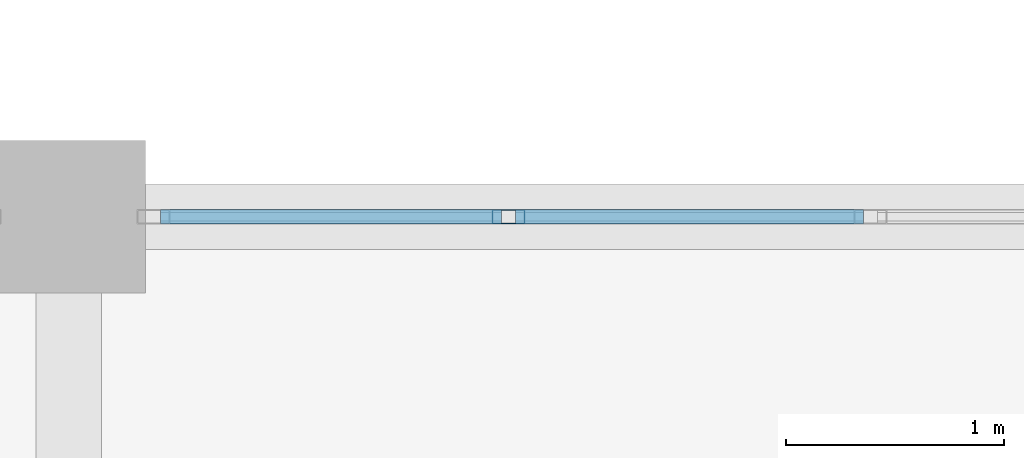
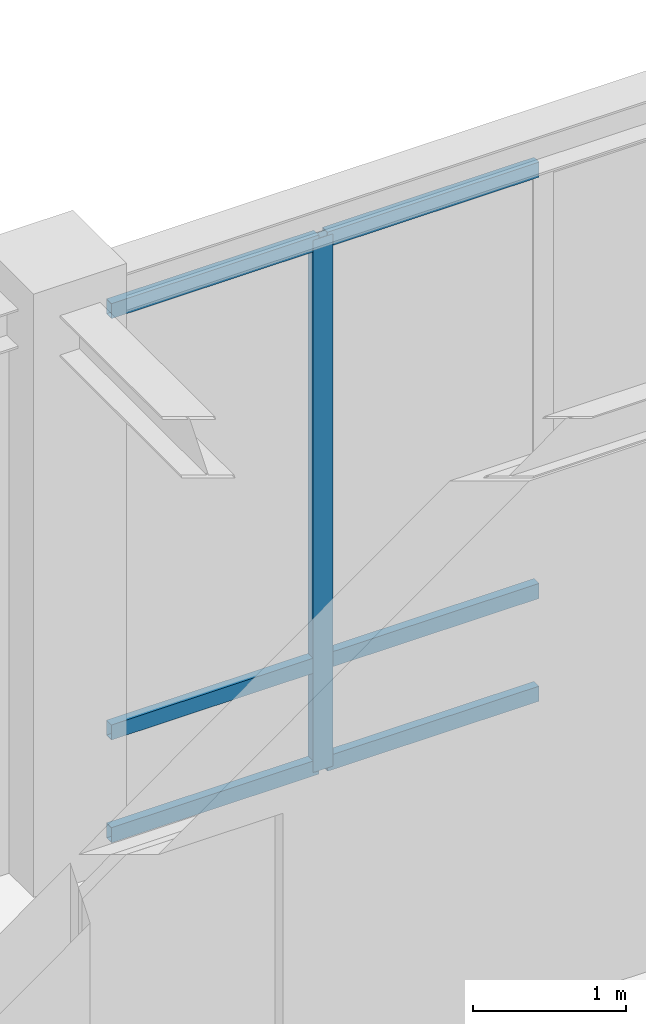
# One storey, part 31 of 98: 7 members, 1 element without a shape of its own.
"""IFC4 building model written with IfcOpenShell, lengths in metres."""

from ifc_helpers import new_model, si_unit, direction, frame, origin, origin_2d, place, context, subcontext, project, spatial, hollow_rectangle, extrude, material, material_profile, profile_set, type_object, element, aggregate, save


model = new_model("IFC4")

# Units and contexts
model_context = context("Model", 3, precision=1e-05, world=origin(), true_north=direction((0.0, 1.0)))
body_context = subcontext(model_context, "Body", "Model", "MODEL_VIEW")
ifc_project = project(units=[si_unit("LENGTHUNIT", "METRE"), si_unit("AREAUNIT", "SQUARE_METRE"), si_unit("VOLUMEUNIT", "CUBIC_METRE"), si_unit("PLANEANGLEUNIT", "RADIAN"), si_unit("MASSUNIT", "GRAM", prefix="KILO")], contexts=[model_context])

# Site, building, storey
site_placement = place(None, origin())
site = spatial("IfcSite", under=ifc_project, at=site_placement, CompositionType="ELEMENT")
building_placement = place(site_placement, origin())
building = spatial("IfcBuilding", under=site, at=building_placement, Name="Lykobir Media Centre", CompositionType="ELEMENT")
storey_placement = place(building_placement, frame((0.0, 0.0, 10.199951171875)))
storey = spatial("IfcBuildingStorey", under=building, at=storey_placement, Name="L02", CompositionType="ELEMENT", Elevation=10.199951171875)

# Curtain wall, members
ifc_material = material(Name="Anodized Aluminium AW-6060", Category="aluminium")
curtain_wall_type = type_object("IfcCurtainWallType", Name="CW-COURT-A", PredefinedType="NOTDEFINED", material=ifc_material)
curtain_wall_placement = place(storey_placement, origin())
curtain_wall = element("IfcCurtainWall", 1, at=curtain_wall_placement, inside=storey, type_object=curtain_wall_type, Name="Curtain wall CW2-L02-0100", PredefinedType="NOTDEFINED")
ifc_material_profile_1 = material_profile(ifc_material, hollow_rectangle(XDim=0.06494140625, YDim=0.14990234375, WallThickness=0.00341796875, at=origin_2d()), Name="ALU MULLION 65x150")
ifc_profile_set_1 = profile_set([ifc_material_profile_1], Name="Anodized Aluminium AW-6060")
member_type_1 = type_object("IfcMemberType", Name="CWM-150", PredefinedType="MULLION", material=ifc_profile_set_1)
member_1_placement = place(storey_placement, frame((110.012939453125, 18.0, 0.0), z_axis=(0.0, 0.0, 1.0), x_axis=(0.0, 1.0, 0.0)))
member_1 = element("IfcMember", 2, at=member_1_placement, type_object=member_type_1, Name="CW2-L02-0100 mullion 2", PredefinedType="MULLION", context=body_context, shape_type="SweptSolid", body=[
    extrude(hollow_rectangle(XDim=0.06494140625, YDim=0.14990234375, WallThickness=0.00341796875, at=origin_2d()), origin(), (0.0, 0.0, 1.0), 4.235107421875),
])
ifc_material_profile_2 = material_profile(ifc_material, hollow_rectangle(XDim=0.06494140625, YDim=0.1201171875, WallThickness=0.0029296875, at=origin_2d()), Name="ALU TRANSOM 65x120")
ifc_profile_set_2 = profile_set([ifc_material_profile_2], Name="Anodized Aluminium AW-6060")
member_type_2 = type_object("IfcMemberType", Name="CWT-120", PredefinedType="USERDEFINED", material=ifc_profile_set_2)
member_2_placement = place(storey_placement, frame((108.419921875, 18.0, 0.032470703125), z_axis=(1.0, 0.0, 0.0), x_axis=(0.0, 1.0, 0.0)))
member_2 = element("IfcMember", 3, at=member_2_placement, type_object=member_type_2, Name="CW2-L02-0100 transom 1.1", ObjectType="TRANSOM", PredefinedType="USERDEFINED", context=body_context, shape_type="SweptSolid", body=[
    extrude(hollow_rectangle(XDim=0.06494140625, YDim=0.1201171875, WallThickness=0.0029296875, at=origin_2d()), origin(), (0.0, 0.0, 1.0), 1.560546875),
])
member_3_placement = place(storey_placement, frame((108.419921875, 18.0, 0.85009765625), z_axis=(1.0, 0.0, 0.0), x_axis=(0.0, 1.0, 0.0)))
member_3 = element("IfcMember", 4, at=member_3_placement, type_object=member_type_2, Name="CW2-L02-0100 transom 1.2", ObjectType="TRANSOM", PredefinedType="USERDEFINED", context=body_context, shape_type="SweptSolid", body=[
    extrude(hollow_rectangle(XDim=0.06494140625, YDim=0.1201171875, WallThickness=0.0029296875, at=origin_2d()), origin(), (0.0, 0.0, 1.0), 1.560546875),
])
member_4_placement = place(storey_placement, frame((108.419921875, 18.0, 4.20263671875), z_axis=(1.0, 0.0, 0.0), x_axis=(0.0, 1.0, 0.0)))
member_4 = element("IfcMember", 5, at=member_4_placement, type_object=member_type_2, Name="CW2-L02-0100 transom 1.3", ObjectType="TRANSOM", PredefinedType="USERDEFINED", context=body_context, shape_type="SweptSolid", body=[
    extrude(hollow_rectangle(XDim=0.06494140625, YDim=0.1201171875, WallThickness=0.0029296875, at=origin_2d()), origin(), (0.0, 0.0, 1.0), 1.560546875),
])
member_5_placement = place(storey_placement, frame((110.04541015625, 18.0, 0.032470703125), z_axis=(1.0, 0.0, 0.0), x_axis=(0.0, 1.0, 0.0)))
member_5 = element("IfcMember", 6, at=member_5_placement, type_object=member_type_2, Name="CW2-L02-0100 transom 2.1", ObjectType="TRANSOM", PredefinedType="USERDEFINED", context=body_context, shape_type="SweptSolid", body=[
    extrude(hollow_rectangle(XDim=0.06494140625, YDim=0.1201171875, WallThickness=0.0029296875, at=origin_2d()), origin(), (0.0, 0.0, 1.0), 1.593017578125),
])
member_6_placement = place(storey_placement, frame((110.04541015625, 18.0, 0.85009765625), z_axis=(1.0, 0.0, 0.0), x_axis=(0.0, 1.0, 0.0)))
member_6 = element("IfcMember", 7, at=member_6_placement, type_object=member_type_2, Name="CW2-L02-0100 transom 2.2", ObjectType="TRANSOM", PredefinedType="USERDEFINED", context=body_context, shape_type="SweptSolid", body=[
    extrude(hollow_rectangle(XDim=0.06494140625, YDim=0.1201171875, WallThickness=0.0029296875, at=origin_2d()), origin(), (0.0, 0.0, 1.0), 1.593017578125),
])
member_7_placement = place(storey_placement, frame((110.04541015625, 18.0, 4.20263671875), z_axis=(1.0, 0.0, 0.0), x_axis=(0.0, 1.0, 0.0)))
member_7 = element("IfcMember", 8, at=member_7_placement, type_object=member_type_2, Name="CW2-L02-0100 transom 2.3", ObjectType="TRANSOM", PredefinedType="USERDEFINED", context=body_context, shape_type="SweptSolid", body=[
    extrude(hollow_rectangle(XDim=0.06494140625, YDim=0.1201171875, WallThickness=0.0029296875, at=origin_2d()), origin(), (0.0, 0.0, 1.0), 1.593017578125),
])
aggregate(curtain_wall, [member_1, member_2, member_3, member_4, member_5, member_6, member_7])

save(model, "model.ifc")
